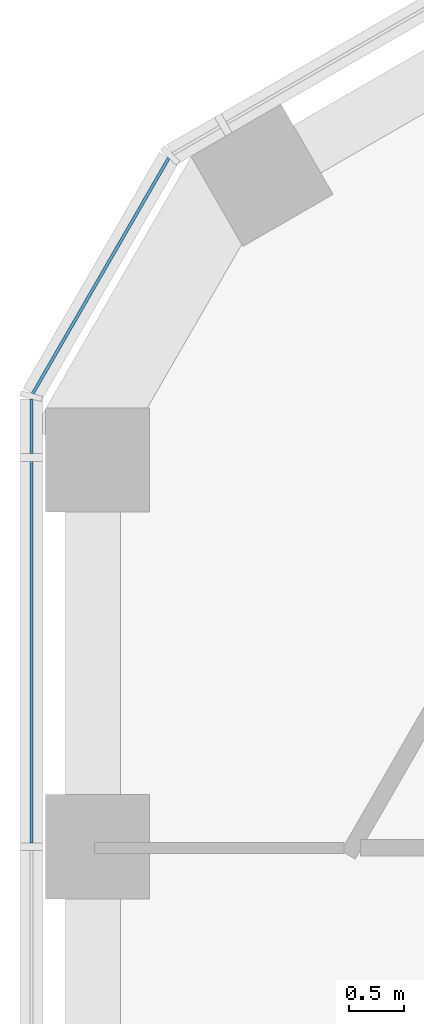
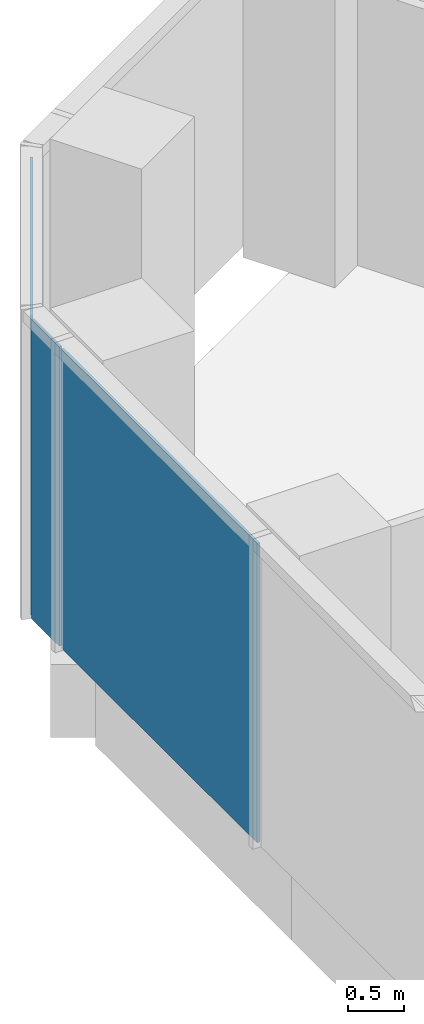
# One storey, part 10 of 19: 3 plates, 2 elements without a shape of their own.
"""IFC4 building model written with IfcOpenShell, lengths in metres."""

from ifc_helpers import new_model, si_unit, direction, frame, origin, origin_2d, place, context, subcontext, project, spatial, rectangle, extrude, material, layer, layer_set, type_object, element, aggregate, save


model = new_model("IFC4")

# Units and contexts
model_context = context("Model", 3, precision=1e-05, world=origin(), true_north=direction((0.0, 1.0)))
body_context = subcontext(model_context, "Body", "Model", "MODEL_VIEW")
ifc_project = project(units=[si_unit("LENGTHUNIT", "METRE"), si_unit("AREAUNIT", "SQUARE_METRE"), si_unit("VOLUMEUNIT", "CUBIC_METRE"), si_unit("PLANEANGLEUNIT", "RADIAN"), si_unit("MASSUNIT", "GRAM", prefix="KILO")], contexts=[model_context])

# Site, building, storey
site_placement = place(None, origin())
site = spatial("IfcSite", under=ifc_project, at=site_placement, CompositionType="ELEMENT")
building_placement = place(site_placement, origin())
building = spatial("IfcBuilding", under=site, at=building_placement, Name="Ayvan Gate Tower", CompositionType="ELEMENT")
storey_placement = place(building_placement, frame((0.0, 0.0, 156.10009765625)))
storey = spatial("IfcBuildingStorey", under=building, at=storey_placement, Name="L41", CompositionType="ELEMENT", Elevation=156.10009765625)

# Curtain wall, plate
ifc_material_1 = material(Name="Bronze anodised aluminium", Category="aluminium")
ifc_layer_1 = layer(ifc_material_1, 0.199951171875)
ifc_layer_set_1 = layer_set([ifc_layer_1], Name="Bronze anodised aluminium")
curtain_wall_type_1 = type_object("IfcCurtainWallType", Name="Stick curtain wall CW-2", PredefinedType="NOTDEFINED", material=ifc_layer_set_1)
curtain_wall_1_placement = place(storey_placement, origin())
curtain_wall_1 = element("IfcCurtainWall", 1, at=curtain_wall_1_placement, inside=storey, type_object=curtain_wall_type_1, Name="Stick curtain wall CW-2 L41", PredefinedType="NOTDEFINED")
ifc_material_2 = material(Name="Clear low-iron laminated glass", Category="glass")
ifc_layer_2 = layer(ifc_material_2, 0.028076171875)
ifc_layer_set_2 = layer_set([ifc_layer_2], Name="Clear low-iron laminated glass")
plate_type_1 = type_object("IfcPlateType", Name="Stick curtain wall CW-2 glass panel", PredefinedType="CURTAIN_PANEL", material=ifc_layer_set_2)
plate_1_placement = place(storey_placement, frame((-18.7021484375, 7.0849609375, 0.0), z_axis=(0.0, 0.0, 1.0), x_axis=(0.0, -1.0, 0.0)))
plate_1 = element("IfcPlate", 2, at=plate_1_placement, type_object=plate_type_1, Name="CW-2 glass panel 1", PredefinedType="CURTAIN_PANEL", context=body_context, shape_type="SweptSolid", body=[
    extrude(rectangle(XDim=3.51611328125, YDim=0.028076171875, at=origin_2d()), origin(), (0.0, 0.0, 1.0), 3.280029296875),
])
aggregate(curtain_wall_1, [plate_1])

# Curtain wall, plates
ifc_layer_3 = layer(ifc_material_1, 0.199951171875)
ifc_layer_set_3 = layer_set([ifc_layer_3], Name="Bronze anodised aluminium")
curtain_wall_type_2 = type_object("IfcCurtainWallType", Name="Stick curtain wall CW-6", PredefinedType="NOTDEFINED", material=ifc_layer_set_3)
curtain_wall_2_placement = place(storey_placement, origin())
curtain_wall_2 = element("IfcCurtainWall", 3, at=curtain_wall_2_placement, inside=storey, type_object=curtain_wall_type_2, Name="Stick curtain wall CW-6 L41", PredefinedType="NOTDEFINED")
ifc_layer_4 = layer(ifc_material_2, 0.028076171875)
ifc_layer_set_4 = layer_set([ifc_layer_4], Name="Clear low-iron laminated glass")
plate_type_2 = type_object("IfcPlateType", Name="Stick curtain wall CW-6 glass panel", PredefinedType="CURTAIN_PANEL", material=ifc_layer_set_4)
plate_2_placement = place(storey_placement, frame((-18.068603515625, 10.50048828125, 0.0), z_axis=(0.0, 0.0, 1.0), x_axis=(-0.5, -0.866025403784, 0.0)))
plate_2 = element("IfcPlate", 4, at=plate_2_placement, type_object=plate_type_2, Name="CW-6 glass panel 2", PredefinedType="CURTAIN_PANEL", context=body_context, shape_type="SweptSolid", body=[
    extrude(rectangle(XDim=2.484619140625, YDim=0.028076171875, at=origin_2d()), origin(), (0.0, 0.0, 1.0), 3.280029296875),
])
plate_3_placement = place(storey_placement, frame((-18.7021484375, 9.1279296875, 0.0), z_axis=(0.0, 0.0, 1.0), x_axis=(0.0, -1.0, 0.0)))
plate_3 = element("IfcPlate", 5, at=plate_3_placement, type_object=plate_type_2, Name="CW-6 glass panel 3", PredefinedType="CURTAIN_PANEL", context=body_context, shape_type="SweptSolid", body=[
    extrude(rectangle(XDim=0.5, YDim=0.028076171875, at=origin_2d()), origin(), (0.0, 0.0, 1.0), 3.280029296875),
])
aggregate(curtain_wall_2, [plate_2, plate_3])

save(model, "model.ifc")
